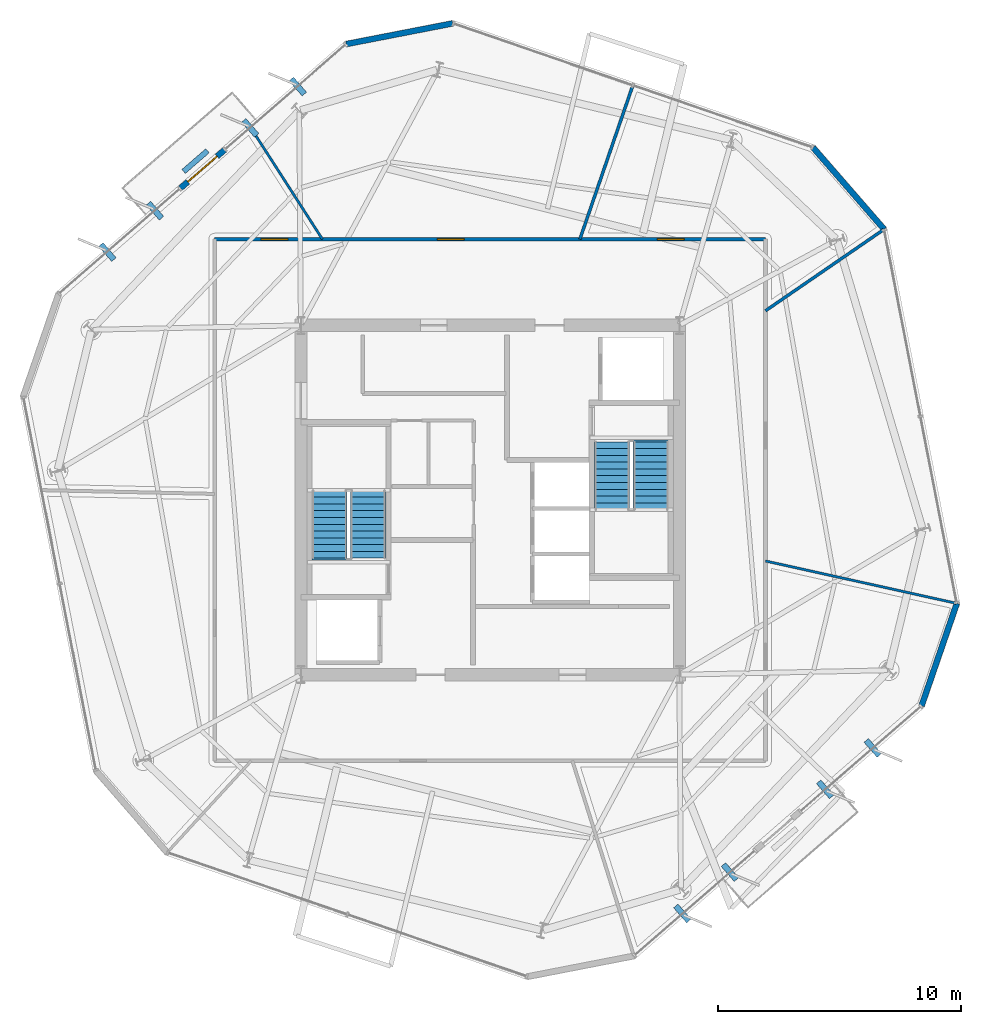
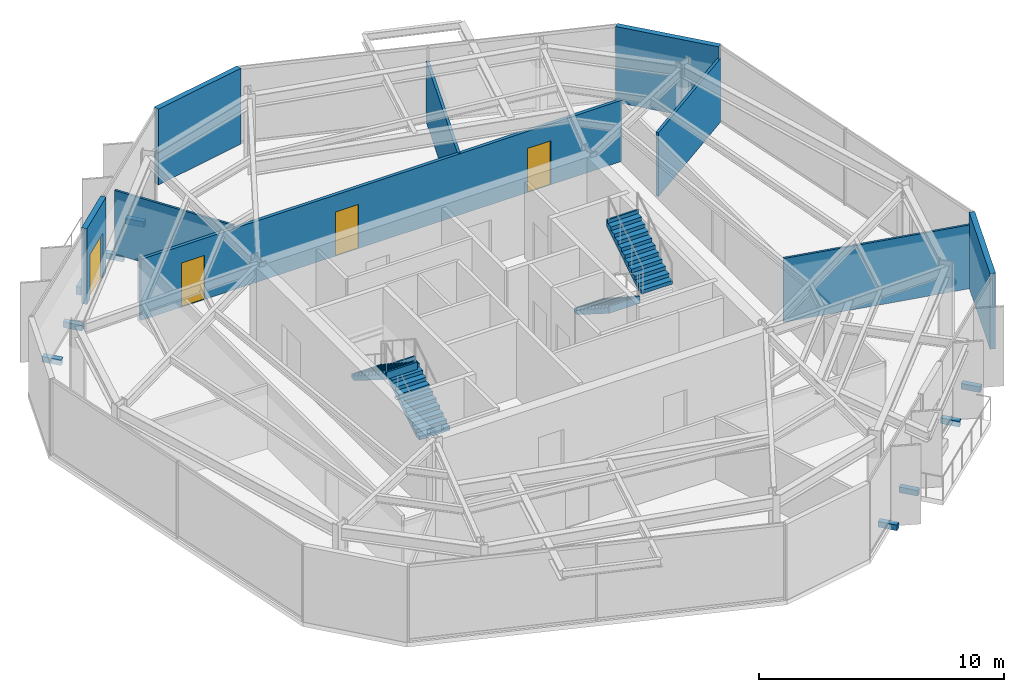
# One storey, part 8 of 11: 10 walls, 8 discrete accessories, 4 doors, 4 stair flights, 4 openings, 2 elements without a shape of their own.
"""IFC4 building model written with IfcOpenShell, lengths in metres."""

from ifc_helpers import new_model, si_unit, direction, frame, frame_2d, origin, origin_2d, place, context, subcontext, project, spatial, polyline, rectangle, outline, extrude, material, layer, layer_set, type_object, element, fill, aggregate, save


model = new_model("IFC4")

# Units and contexts
model_context = context("Model", 3, precision=1e-05, world=origin(), true_north=direction((0.0, 1.0)))
body_context = subcontext(model_context, "Body", "Model", "MODEL_VIEW")
ifc_project = project(units=[si_unit("LENGTHUNIT", "METRE"), si_unit("AREAUNIT", "SQUARE_METRE"), si_unit("VOLUMEUNIT", "CUBIC_METRE"), si_unit("PLANEANGLEUNIT", "RADIAN"), si_unit("MASSUNIT", "GRAM", prefix="KILO")], contexts=[model_context])

# Site, building, storey
site_placement = place(None, origin())
site = spatial("IfcSite", under=ifc_project, at=site_placement, CompositionType="ELEMENT")
building_placement = place(site_placement, origin())
building = spatial("IfcBuilding", under=site, at=building_placement, Name="Kranzbogen Civic Tower", CompositionType="ELEMENT")
storey_placement = place(building_placement, frame((0.0, 0.0, 188.800048828125)))
storey = spatial("IfcBuildingStorey", under=building, at=storey_placement, Name="L45", CompositionType="ELEMENT", Elevation=188.800048828125)

# Wall, openings, doors
ifc_material_1 = material(Name="Double-Stud Acoustic Gypsum Partition")
ifc_layer_1 = layer(ifc_material_1, 0.14990234375, Name="Double-Stud Acoustic Gypsum Partition")
ifc_layer_set_1 = layer_set([ifc_layer_1], Name="Double-Stud Acoustic Gypsum Partition")
wall_type_1 = type_object("IfcWallType", Name="Acoustic Corridor and Clinical Partition 150 mm", PredefinedType="PARTITIONING", material=ifc_layer_set_1)
wall_1_placement = place(storey_placement, frame((13.64990234375, 35.75, 0.0), z_axis=(0.0, 0.0, 1.0), x_axis=(1.0, 0.0, 0.0)))
wall_1 = element("IfcWall", 1, at=wall_1_placement, inside=storey, type_object=wall_type_1, Name="L45 corridor partition 01", PredefinedType="PARTITIONING", context=body_context, shape_type="SweptSolid", body=[
    extrude(rectangle(XDim=22.7001953125, YDim=0.14990234375, at=frame_2d((11.35009765625, 0.0))), origin(), (0.0, 0.0, 1.0), 3.050048828125),
])
opening_1_placement = place(wall_1_placement, frame((18.243896484375, 0.0, 0.0)))
opening_1 = element("IfcOpeningElement", 2, at=opening_1_placement, cuts=wall_1, Name="Opening D-COR60", PredefinedType="OPENING", context=body_context, shape_type="SweptSolid", body=[
    extrude(rectangle(XDim=1.10009765625, YDim=2.199951171875, at=frame_2d((0.550048828125, 1.10009765625))), frame((0.0, 0.0849609375, 0.0), z_axis=(0.0, -1.0, 0.0), x_axis=(1.0, 0.0, 0.0)), (0.0, 0.0, 1.0), 0.169921875),
])
opening_2_placement = place(wall_1_placement, frame((9.179931640625, 0.0, 0.0)))
opening_2 = element("IfcOpeningElement", 3, at=opening_2_placement, cuts=wall_1, Name="Opening D-COR60", PredefinedType="OPENING", context=body_context, shape_type="SweptSolid", body=[
    extrude(rectangle(XDim=1.10009765625, YDim=2.199951171875, at=frame_2d((0.550048828125, 1.10009765625))), frame((0.0, 0.0849609375, 0.0), z_axis=(0.0, -1.0, 0.0), x_axis=(1.0, 0.0, 0.0)), (0.0, 0.0, 1.0), 0.169921875),
])
opening_3_placement = place(wall_1_placement, frame((1.9130859375, 0.0, 0.0)))
opening_3 = element("IfcOpeningElement", 4, at=opening_3_placement, cuts=wall_1, Name="Opening D-COR60", PredefinedType="OPENING", context=body_context, shape_type="SweptSolid", body=[
    extrude(rectangle(XDim=1.10009765625, YDim=2.199951171875, at=frame_2d((0.550048828125, 1.10009765625))), frame((0.0, 0.0849609375, 0.0), z_axis=(0.0, -1.0, 0.0), x_axis=(1.0, 0.0, 0.0)), (0.0, 0.0, 1.0), 0.169921875),
])
ifc_material_2 = material(Name="Oak Timber and Fire Core", Category="wood")
door_type_1 = type_object("IfcDoorType", Name="Corridor Acoustic Fire Door 1100x2200", OperationType="NOTDEFINED", PredefinedType="DOOR", material=ifc_material_2)
door_1_placement = place(opening_1_placement, origin())
door_1 = element("IfcDoor", 5, at=door_1_placement, inside=storey, type_object=door_type_1, Name="L45 Central Mail Post Room door", OperationType="SINGLE_SWING_LEFT", OverallHeight=2.199951171875, OverallWidth=1.10009765625, PredefinedType="DOOR", context=body_context, shape_type="SweptSolid", body=[
    extrude(rectangle(XDim=1.10009765625, YDim=2.199951171875, at=frame_2d((0.550048828125, 1.10009765625))), frame((0.0, 0.02490234375, 0.0), z_axis=(0.0, -1.0, 0.0), x_axis=(1.0, 0.0, 0.0)), (0.0, 0.0, 1.0), 0.050048828125),
])
fill(opening_1, door_1)
door_2_placement = place(opening_2_placement, origin())
door_2 = element("IfcDoor", 6, at=door_2_placement, inside=storey, type_object=door_type_1, Name="L45 Duty Crew Control Room door", OperationType="SINGLE_SWING_RIGHT", OverallHeight=2.199951171875, OverallWidth=1.10009765625, PredefinedType="DOOR", context=body_context, shape_type="SweptSolid", body=[
    extrude(rectangle(XDim=1.10009765625, YDim=2.199951171875, at=frame_2d((0.550048828125, 1.10009765625))), frame((0.0, 0.02490234375, 0.0), z_axis=(0.0, -1.0, 0.0), x_axis=(1.0, 0.0, 0.0)), (0.0, 0.0, 1.0), 0.050048828125),
])
fill(opening_2, door_2)
door_3_placement = place(opening_3_placement, origin())
door_3 = element("IfcDoor", 7, at=door_3_placement, inside=storey, type_object=door_type_1, Name="L45 Citizen Services Kiosk door", OperationType="SINGLE_SWING_LEFT", OverallHeight=2.199951171875, OverallWidth=1.10009765625, PredefinedType="DOOR", context=body_context, shape_type="SweptSolid", body=[
    extrude(rectangle(XDim=1.10009765625, YDim=2.199951171875, at=frame_2d((0.550048828125, 1.10009765625))), frame((0.0, 0.02490234375, 0.0), z_axis=(0.0, -1.0, 0.0), x_axis=(1.0, 0.0, 0.0)), (0.0, 0.0, 1.0), 0.050048828125),
])
fill(opening_3, door_3)

# Walls
ifc_material_3 = material(Name="Insulated Metal-Stud Gypsum Partition")
ifc_layer_2 = layer(ifc_material_3, 0.125, Name="Insulated Metal-Stud Gypsum Partition")
ifc_layer_set_2 = layer_set([ifc_layer_2], Name="Insulated Metal-Stud Gypsum Partition")
wall_type_2 = type_object("IfcWallType", Name="Acoustic Inter-Room Partition 125 mm", PredefinedType="PARTITIONING", material=ifc_layer_set_2)
wall_2_placement = place(storey_placement, frame((28.701904296875, 35.75, 0.0), z_axis=(0.0, 0.0, 1.0), x_axis=(0.325503304822, 0.945540902632, 0.0)))
element("IfcWall", 8, at=wall_2_placement, inside=storey, type_object=wall_type_2, Name="L45 radial room partition 01", PredefinedType="PARTITIONING", context=body_context, shape_type="SweptSolid", body=[
    extrude(rectangle(XDim=6.68505859375, YDim=0.125, at=frame_2d((3.342529296875, 0.0))), origin(), (0.0, 0.0, 1.0), 3.050048828125),
])
wall_3_placement = place(storey_placement, frame((36.35009765625, 32.798095703125, 0.0), z_axis=(0.0, 0.0, 1.0), x_axis=(0.824306770306, 0.566143399173, 0.0)))
element("IfcWall", 9, at=wall_3_placement, inside=storey, type_object=wall_type_2, Name="L45 radial room partition 07", PredefinedType="PARTITIONING", context=body_context, shape_type="SweptSolid", body=[
    extrude(rectangle(XDim=5.915283203125, YDim=0.125, at=frame_2d((2.95751953125, 0.0))), origin(), (0.0, 0.0, 1.0), 3.179931640625),
])
ifc_material_4 = material(Name="Architectural Precast Terracotta Concrete C40/50", Category="masonry")
ifc_layer_3 = layer(ifc_material_4, 0.219970703125, Name="Architectural Precast Terracotta Concrete C40/50")
ifc_layer_set_3 = layer_set([ifc_layer_3], Name="Architectural Precast Terracotta Concrete C40/50")
wall_type_3 = type_object("IfcWallType", Name="Architectural Tree Planter Kerb Wall 220 mm", PredefinedType="USERDEFINED", material=ifc_layer_set_3)
wall_4_placement = place(storey_placement, frame((13.35107421875, 39.39208984375, 0.0), z_axis=(0.0, 0.0, 1.0), x_axis=(-0.75537303729, -0.655295028621, 0.0)))
element("IfcWall", 10, at=wall_4_placement, inside=storey, type_object=wall_type_3, Name="L45 landscaped tree balcony planter L45-TB2", ObjectType="PLANTER_WALL", PredefinedType="USERDEFINED", context=body_context, shape_type="SweptSolid", body=[
    extrude(rectangle(XDim=1.30029296875, YDim=0.219970703125, at=frame_2d((0.650146484375, 0.0))), origin(), (0.0, 0.0, 1.0), 0.39990234375),
])
ifc_material_5 = material(Name="Demountable Aluminium and Gypsum Partition", Category="aluminium")
ifc_layer_4 = layer(ifc_material_5, 0.10009765625, Name="Demountable Aluminium and Gypsum Partition")
ifc_layer_set_4 = layer_set([ifc_layer_4], Name="Demountable Aluminium and Gypsum Partition")
wall_type_4 = type_object("IfcWallType", Name="Demountable Office Partition 100 mm", PredefinedType="MOVABLE", material=ifc_layer_set_4)
wall_5_placement = place(storey_placement, frame((18.087890625, 35.75, 0.0), z_axis=(0.0, 0.0, 1.0), x_axis=(-0.540795982474, 0.841153794107, 0.0)))
element("IfcWall", 11, at=wall_5_placement, inside=storey, type_object=wall_type_4, Name="L45 radial room partition 02", PredefinedType="MOVABLE", context=body_context, shape_type="SweptSolid", body=[
    extrude(rectangle(XDim=5.4638671875, YDim=0.10009765625, at=frame_2d((2.73193359375, 0.0))), origin(), (0.0, 0.0, 1.0), 3.179931640625),
])
wall_6_placement = place(storey_placement, frame((36.35009765625, 22.486083984375, 0.0), z_axis=(0.0, 0.0, 1.0), x_axis=(0.976316571285, -0.216346834122, 0.0)))
element("IfcWall", 12, at=wall_6_placement, inside=storey, type_object=wall_type_4, Name="L45 radial room partition 06", PredefinedType="MOVABLE", context=body_context, shape_type="SweptSolid", body=[
    extrude(rectangle(XDim=8.061767578125, YDim=0.10009765625, at=frame_2d((4.03076171875, 0.0))), origin(), (0.0, 0.0, 1.0), 3.179931640625),
])
ifc_material_6 = material(Name="Pale Anodised Aluminium", Category="aluminium")
ifc_layer_5 = layer(ifc_material_6, 0.239990234375, Name="Pale Anodised Aluminium")
ifc_layer_set_5 = layer_set([ifc_layer_5], Name="Pale Anodised Aluminium")
wall_type_5 = type_object("IfcWallType", Name="Insulated Aluminium Facade Portal Wall 240 mm", PredefinedType="STANDARD", material=ifc_layer_set_5)
wall_7_placement = place(storey_placement, frame((23.4580078125, 44.64404296875, 0.0), z_axis=(0.0, 0.0, 1.0), x_axis=(-0.981615105357, -0.190871121271, 0.0)))
element("IfcWall", 13, at=wall_7_placement, inside=storey, type_object=wall_type_5, Name="L45 chamfered corner facade spandrel 1", PredefinedType="STANDARD", context=body_context, shape_type="SweptSolid", body=[
    extrude(rectangle(XDim=4.46923828125, YDim=0.239990234375, at=frame_2d((2.234619140625, 0.0))), origin(), (0.0, 0.0, 1.0), 3.780029296875),
])

# Wall, opening, door
wall_8_placement = place(storey_placement, frame((14.050048828125, 39.426025390625, 0.0), z_axis=(0.0, 0.0, 1.0), x_axis=(-0.754778546913, -0.655979683466, 0.0)))
wall_8 = element("IfcWall", 14, at=wall_8_placement, inside=storey, type_object=wall_type_5, Name="L45 exterior entrance portal wall 1", PredefinedType="STANDARD", context=body_context, shape_type="SweptSolid", body=[
    extrude(rectangle(XDim=2.3994140625, YDim=0.239990234375, at=frame_2d((1.19970703125, 0.0))), origin(), (0.0, 0.0, 1.0), 3.780029296875),
])
opening_4_placement = place(wall_8_placement, frame((0.39990234375, 0.0, 0.0)))
opening_4 = element("IfcOpeningElement", 15, at=opening_4_placement, cuts=wall_8, Name="Opening D-TER", PredefinedType="OPENING", context=body_context, shape_type="SweptSolid", body=[
    extrude(rectangle(XDim=1.60009765625, YDim=2.25, at=frame_2d((0.800048828125, 1.125))), frame((0.0, 0.1298828125, 0.0), z_axis=(0.0, -1.0, 0.0), x_axis=(1.0, 0.0, 0.0)), (0.0, 0.0, 1.0), 0.260009765625),
])
ifc_material_7 = material(Name="Anodised Bronze and Triple Glass", Category="glass")
door_type_2 = type_object("IfcDoorType", Name="Glazed Terrace and Balcony Double Door 1600x2250", OperationType="DOUBLE_DOOR_SINGLE_SWING", PredefinedType="DOOR", material=ifc_material_7)
door_4_placement = place(opening_4_placement, frame((1.60009765625, 0.0, 0.0), z_axis=(0.0, 0.0, 1.0), x_axis=(-1.0, 0.0, 0.0)))
door_4 = element("IfcDoor", 16, at=door_4_placement, inside=storey, type_object=door_type_2, Name="L45 tree balcony access door L45-TB2", OperationType="DOUBLE_DOOR_SINGLE_SWING", OverallHeight=2.25, OverallWidth=1.60009765625, PredefinedType="DOOR", context=body_context, shape_type="SweptSolid", body=[
    extrude(rectangle(XDim=1.60009765625, YDim=2.25, at=frame_2d((0.800048828125, 1.125))), frame((0.0, 0.02490234375, 0.0), z_axis=(0.0, -1.0, 0.0), x_axis=(1.0, 0.0, 0.0)), (0.0, 0.0, 1.0), 0.050048828125),
])
fill(opening_4, door_4)

# Walls
wall_9_placement = place(storey_placement, frame((42.783935546875, 16.513916015625, 0.0), z_axis=(0.0, 0.0, 1.0), x_axis=(0.325492114227, 0.94554475493, 0.0)))
element("IfcWall", 17, at=wall_9_placement, inside=storey, type_object=wall_type_5, Name="L45 chamfered corner facade spandrel 5", PredefinedType="STANDARD", context=body_context, shape_type="SweptSolid", body=[
    extrude(rectangle(XDim=4.46728515625, YDim=0.239990234375, at=frame_2d((2.233642578125, 0.0))), origin(), (0.0, 0.0, 1.0), 3.780029296875),
])
wall_10_placement = place(storey_placement, frame((41.240966796875, 36.157958984375, 0.0), z_axis=(0.0, 0.0, 1.0), x_axis=(-0.656134075049, 0.754644337128, 0.0)))
element("IfcWall", 18, at=wall_10_placement, inside=storey, type_object=wall_type_5, Name="L45 chamfered corner facade spandrel 6", PredefinedType="STANDARD", context=body_context, shape_type="SweptSolid", body=[
    extrude(rectangle(XDim=4.468505859375, YDim=0.239990234375, at=frame_2d((2.234375, 0.0))), origin(), (0.0, 0.0, 1.0), 3.780029296875),
])

# Stair, stair flights
ifc_material_8 = material(Name="Precast concrete C40/50", Category="concrete")
stair_type_1 = type_object("IfcStairType", Name="Tower Core Pressurized Dogleg Stair 1450", PredefinedType="HALF_TURN_STAIR", material=ifc_material_8)
stair_1_placement = place(storey_placement, origin())
stair_1 = element("IfcStair", 19, at=stair_1_placement, inside=storey, type_object=stair_type_1, Name="L45 Tower Core Pressurized Stair 1", PredefinedType="HALF_TURN_STAIR")
stair_flight_type = type_object("IfcStairFlightType", Name="Precast Concrete Stair Flight R180", PredefinedType="STRAIGHT", material=ifc_material_8)
stair_flight_1_placement = place(storey_placement, frame((19.97509765625, 22.60009765625, 0.0), z_axis=(0.0, 0.0, 1.0), x_axis=(0.0, 1.0, 0.0)))
stair_flight_1 = element("IfcStairFlight", 20, at=stair_flight_1_placement, type_object=stair_flight_type, Name="ST-T1 flight 1", NumberOfRisers=11, NumberOfTreads=10, PredefinedType="STRAIGHT", RiserHeight=0.181818182, TreadLength=0.28, context=body_context, shape_type="SweptSolid", body=[
    extrude(outline(polyline([(0.0, 0.0), (0.0, 0.181884765625), (0.280029296875, 0.181884765625), (0.280029296875, 0.363525390625), (0.56005859375, 0.363525390625), (0.56005859375, 0.54541015625), (0.840087890625, 0.54541015625), (0.840087890625, 0.727294921875), (1.1201171875, 0.727294921875), (1.1201171875, 0.9091796875), (1.39990234375, 0.9091796875), (1.39990234375, 1.0908203125), (1.679931640625, 1.0908203125), (1.679931640625, 1.272705078125), (1.9599609375, 1.272705078125), (1.9599609375, 1.45458984375), (2.239990234375, 1.45458984375), (2.239990234375, 1.636474609375), (2.52001953125, 1.636474609375), (2.52001953125, 1.818115234375), (2.800048828125, 1.818115234375), (2.800048828125, 2.0), (2.880126953125, 2.0), (2.880126953125, 1.639404296875), (0.275146484375, 0.0), (0.0, 0.0)])), frame((0.0, 0.72509765625, 0.0), z_axis=(0.0, -1.0, 0.0), x_axis=(1.0, 0.0, 0.0)), (0.0, 0.0, 1.0), 1.449951171875),
])
stair_flight_2_placement = place(storey_placement, frame((18.375, 25.39990234375, 2.0), z_axis=(0.0, 0.0, 1.0), x_axis=(0.0, -1.0, 0.0)))
stair_flight_2 = element("IfcStairFlight", 21, at=stair_flight_2_placement, type_object=stair_flight_type, Name="ST-T1 flight 2", NumberOfRisers=11, NumberOfTreads=10, PredefinedType="STRAIGHT", RiserHeight=0.181818182, TreadLength=0.28, context=body_context, shape_type="SweptSolid", body=[
    extrude(outline(polyline([(0.0, 0.0), (0.0, 0.181884765625), (0.280029296875, 0.181884765625), (0.280029296875, 0.363525390625), (0.56005859375, 0.363525390625), (0.56005859375, 0.54541015625), (0.840087890625, 0.54541015625), (0.840087890625, 0.727294921875), (1.1201171875, 0.727294921875), (1.1201171875, 0.9091796875), (1.39990234375, 0.9091796875), (1.39990234375, 1.0908203125), (1.679931640625, 1.0908203125), (1.679931640625, 1.272705078125), (1.9599609375, 1.272705078125), (1.9599609375, 1.45458984375), (2.239990234375, 1.45458984375), (2.239990234375, 1.636474609375), (2.52001953125, 1.636474609375), (2.52001953125, 1.818115234375), (2.800048828125, 1.818115234375), (2.800048828125, 2.0), (2.880126953125, 2.0), (2.880126953125, 1.639404296875), (0.275146484375, 0.0), (0.0, 0.0)])), frame((0.0, 0.72509765625, 0.0), z_axis=(0.0, -1.0, 0.0), x_axis=(1.0, 0.0, 0.0)), (0.0, 0.0, 1.0), 1.449951171875),
])
aggregate(stair_1, [stair_flight_1, stair_flight_2])

stair_type_2 = type_object("IfcStairType", Name="Tower Core Secondary Dogleg Stair 1450", PredefinedType="HALF_TURN_STAIR", material=ifc_material_8)
stair_2_placement = place(storey_placement, origin())
stair_2 = element("IfcStair", 22, at=stair_2_placement, inside=storey, type_object=stair_type_2, Name="L45 Tower Core Pressurized Stair 2", PredefinedType="HALF_TURN_STAIR")
stair_flight_3_placement = place(storey_placement, frame((30.02490234375, 27.39990234375, 0.0), z_axis=(0.0, 0.0, 1.0), x_axis=(0.0, -1.0, 0.0)))
stair_flight_3 = element("IfcStairFlight", 23, at=stair_flight_3_placement, type_object=stair_flight_type, Name="ST-T2 flight 1", NumberOfRisers=11, NumberOfTreads=10, PredefinedType="STRAIGHT", RiserHeight=0.181818182, TreadLength=0.28, context=body_context, shape_type="SweptSolid", body=[
    extrude(outline(polyline([(0.0, 0.0), (0.0, 0.181884765625), (0.280029296875, 0.181884765625), (0.280029296875, 0.363525390625), (0.56005859375, 0.363525390625), (0.56005859375, 0.54541015625), (0.840087890625, 0.54541015625), (0.840087890625, 0.727294921875), (1.1201171875, 0.727294921875), (1.1201171875, 0.9091796875), (1.39990234375, 0.9091796875), (1.39990234375, 1.0908203125), (1.679931640625, 1.0908203125), (1.679931640625, 1.272705078125), (1.9599609375, 1.272705078125), (1.9599609375, 1.45458984375), (2.239990234375, 1.45458984375), (2.239990234375, 1.636474609375), (2.52001953125, 1.636474609375), (2.52001953125, 1.818115234375), (2.800048828125, 1.818115234375), (2.800048828125, 2.0), (2.880126953125, 2.0), (2.880126953125, 1.639404296875), (0.275146484375, 0.0), (0.0, 0.0)])), frame((0.0, 0.72509765625, 0.0), z_axis=(0.0, -1.0, 0.0), x_axis=(1.0, 0.0, 0.0)), (0.0, 0.0, 1.0), 1.449951171875),
])
stair_flight_4_placement = place(storey_placement, frame((31.625, 24.60009765625, 2.0), z_axis=(0.0, 0.0, 1.0), x_axis=(0.0, 1.0, 0.0)))
stair_flight_4 = element("IfcStairFlight", 24, at=stair_flight_4_placement, type_object=stair_flight_type, Name="ST-T2 flight 2", NumberOfRisers=11, NumberOfTreads=10, PredefinedType="STRAIGHT", RiserHeight=0.181818182, TreadLength=0.28, context=body_context, shape_type="SweptSolid", body=[
    extrude(outline(polyline([(0.0, 0.0), (0.0, 0.181884765625), (0.280029296875, 0.181884765625), (0.280029296875, 0.363525390625), (0.56005859375, 0.363525390625), (0.56005859375, 0.54541015625), (0.840087890625, 0.54541015625), (0.840087890625, 0.727294921875), (1.1201171875, 0.727294921875), (1.1201171875, 0.9091796875), (1.39990234375, 0.9091796875), (1.39990234375, 1.0908203125), (1.679931640625, 1.0908203125), (1.679931640625, 1.272705078125), (1.9599609375, 1.272705078125), (1.9599609375, 1.45458984375), (2.239990234375, 1.45458984375), (2.239990234375, 1.636474609375), (2.52001953125, 1.636474609375), (2.52001953125, 1.818115234375), (2.800048828125, 1.818115234375), (2.800048828125, 2.0), (2.880126953125, 2.0), (2.880126953125, 1.639404296875), (0.275146484375, 0.0), (0.0, 0.0)])), frame((0.0, 0.72509765625, 0.0), z_axis=(0.0, -1.0, 0.0), x_axis=(1.0, 0.0, 0.0)), (0.0, 0.0, 1.0), 1.449951171875),
])
aggregate(stair_2, [stair_flight_3, stair_flight_4])

# Discrete accessories
ifc_material_9 = material(Name="Steel S355", Category="steel")
discrete_accessory_type = type_object("IfcDiscreteAccessoryType", Name="Structural Curtain-Wall Fin Support Bracket", PredefinedType="BRACKET", material=ifc_material_9)
for number, where, z_axis, x_axis, name in (
    (25, (17.075927734375, 42.041015625, -0.25), (0.0, 0.0, 1.0), (-0.656059028991, 0.754709580223, 0.0), "L45 facade fin support bracket F2-1"),
    (26, (15.114013671875, 40.3359375, -0.25), (0.0, 0.0, 1.0), (-0.656059028991, 0.754709580223, 0.0), "L45 facade fin support bracket F2-2"),
    (27, (11.18896484375, 36.924072265625, -0.25), (0.0, 0.0, 1.0), (-0.656059028991, 0.754709580223, 0.0), "L45 facade fin support bracket F2-4"),
    (28, (9.22705078125, 35.218017578125, -0.25), (0.0, 0.0, 1.0), (-0.656059028991, 0.754709580223, 0.0), "L45 facade fin support bracket F2-5"),
    (29, (32.924072265625, 7.958984375, -0.25), (0.0, 0.0, 1.0), (0.656059028991, -0.754709580223, 0.0), "L45 facade fin support bracket F5-1"),
    (30, (34.885986328125, 9.6640625, -0.25), (0.0, 0.0, 1.0), (0.656059028991, -0.754709580223, 0.0), "L45 facade fin support bracket F5-2"),
    (31, (38.81103515625, 13.075927734375, -0.25), (0.0, 0.0, 1.0), (0.656059028991, -0.754709580223, 0.0), "L45 facade fin support bracket F5-4"),
    (32, (40.77294921875, 14.781982421875, -0.25), (0.0, 0.0, 1.0), (0.656059028991, -0.754709580223, 0.0), "L45 facade fin support bracket F5-5"),
):
    element("IfcDiscreteAccessory", number, at=place(storey_placement, frame(where, z_axis=z_axis, x_axis=x_axis)), inside=storey, type_object=discrete_accessory_type, Name=name, PredefinedType="BRACKET", context=body_context, shape_type="SweptSolid", body=[
        extrude(rectangle(XDim=0.820068359375, YDim=0.239990234375, at=origin_2d()), origin(), (0.0, 0.0, 1.0), 0.280029296875),
    ])

save(model, "model.ifc")
